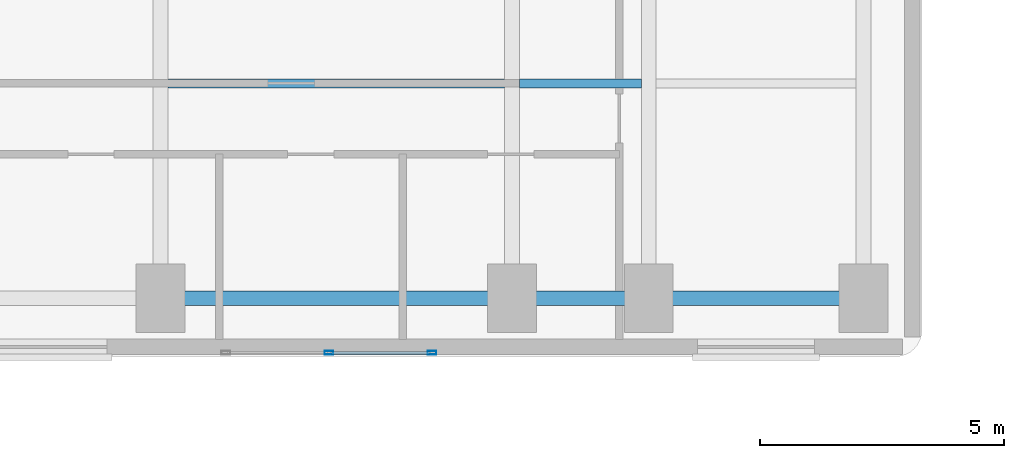
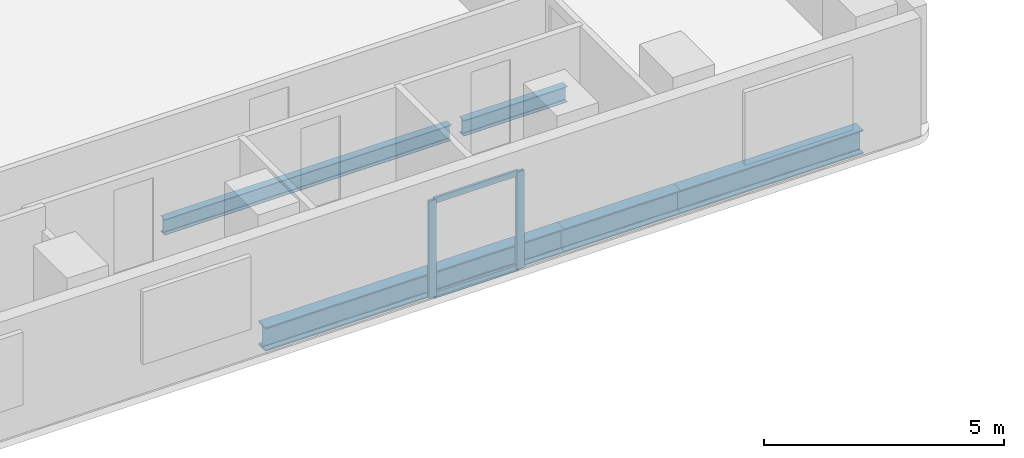
# One storey, part 6 of 17: 5 beams, 4 members, 1 element without a shape of its own.
"""IFC4 building model written with IfcOpenShell, lengths in metres."""

from ifc_helpers import new_model, si_unit, direction, frame, origin, origin_2d, place, context, subcontext, project, spatial, hollow_rectangle, i_section, extrude, material, material_profile, profile_set, type_object, element, aggregate, save


model = new_model("IFC4")

# Units and contexts
model_context = context("Model", 3, precision=1e-05, world=origin(), true_north=direction((0.0, 1.0)))
body_context = subcontext(model_context, "Body", "Model", "MODEL_VIEW")
ifc_project = project(units=[si_unit("LENGTHUNIT", "METRE"), si_unit("AREAUNIT", "SQUARE_METRE"), si_unit("VOLUMEUNIT", "CUBIC_METRE"), si_unit("PLANEANGLEUNIT", "RADIAN"), si_unit("MASSUNIT", "GRAM", prefix="KILO")], contexts=[model_context])

# Site, building, storey
site_placement = place(None, origin())
site = spatial("IfcSite", under=ifc_project, at=site_placement, CompositionType="ELEMENT")
building_placement = place(site_placement, origin())
building = spatial("IfcBuilding", under=site, at=building_placement, Name="Kuzgunbayir Cultural Tower", CompositionType="ELEMENT")
storey_placement = place(building_placement, frame((0.0, 0.0, 50.0)))
storey = spatial("IfcBuildingStorey", under=building, at=storey_placement, Name="L13", CompositionType="ELEMENT", Elevation=50.0)

# Beams
ifc_material_1 = material(Name="Steel S355J2", Category="steel")
ifc_material_profile_1 = material_profile(ifc_material_1, i_section(OverallWidth=0.300048828125, OverallDepth=0.60009765625, WebThickness=0.015380859375, FlangeThickness=0.030029296875, FilletRadius=0.027099609375, at=origin_2d()), Name="HEB 600")
ifc_profile_set_1 = profile_set([ifc_material_profile_1], Name="Steel S355J2")
beam_type_1 = type_object("IfcBeamType", Name="BM-EXT-HEB600", PredefinedType="BEAM", material=ifc_profile_set_1)
beam_1_placement = place(storey_placement, frame((31.199951171875, 27.60009765625, -0.47998046875), z_axis=(1.0, 0.0, 0.0), x_axis=(0.0, 1.0, 0.0)))
element("IfcBeam", 1, at=beam_1_placement, inside=storey, type_object=beam_type_1, Name="L13 Wing B South Girder 2", PredefinedType="BEAM", context=body_context, shape_type="SweptSolid", body=[
    extrude(i_section(OverallWidth=0.300048828125, OverallDepth=0.60009765625, WebThickness=0.015380859375, FlangeThickness=0.030029296875, FilletRadius=0.027099609375, at=origin_2d()), origin(), (0.0, 0.0, 1.0), 7.199951171875),
])
beam_2_placement = place(storey_placement, frame((38.39990234375, 27.60009765625, -0.47998046875), z_axis=(1.0, 0.0, 0.0), x_axis=(0.0, 1.0, 0.0)))
element("IfcBeam", 2, at=beam_2_placement, inside=storey, type_object=beam_type_1, Name="L13 Wing B South Girder 3", PredefinedType="BEAM", context=body_context, shape_type="SweptSolid", body=[
    extrude(i_section(OverallWidth=0.300048828125, OverallDepth=0.60009765625, WebThickness=0.015380859375, FlangeThickness=0.030029296875, FilletRadius=0.027099609375, at=origin_2d()), origin(), (0.0, 0.0, 1.0), 2.800048828125),
])
beam_3_placement = place(storey_placement, frame((41.199951171875, 27.60009765625, -0.47998046875), z_axis=(1.0, 0.0, 0.0), x_axis=(0.0, 1.0, 0.0)))
element("IfcBeam", 3, at=beam_3_placement, inside=storey, type_object=beam_type_1, Name="L13 Wing B South Girder 4", PredefinedType="BEAM", context=body_context, shape_type="SweptSolid", body=[
    extrude(i_section(OverallWidth=0.300048828125, OverallDepth=0.60009765625, WebThickness=0.015380859375, FlangeThickness=0.030029296875, FilletRadius=0.027099609375, at=origin_2d()), origin(), (0.0, 0.0, 1.0), 4.400146484375),
])
ifc_material_profile_2 = material_profile(ifc_material_1, i_section(OverallWidth=0.179931640625, OverallDepth=0.39990234375, WebThickness=0.008544921875, FlangeThickness=0.013427734375, FilletRadius=0.02099609375, at=origin_2d()), Name="IPE 400")
ifc_profile_set_2 = profile_set([ifc_material_profile_2], Name="Steel S355J2")
beam_type_2 = type_object("IfcBeamType", Name="BM-JST-IPE400", PredefinedType="JOIST", material=ifc_profile_set_2)
beam_4_placement = place(storey_placement, frame((31.35009765625, 32.0, -0.3798828125), z_axis=(1.0, 0.0, 0.0), x_axis=(0.0, 1.0, 0.0)))
element("IfcBeam", 4, at=beam_4_placement, inside=storey, type_object=beam_type_2, Name="L13 Wing B Secondary Joist 1.1", PredefinedType="JOIST", context=body_context, shape_type="SweptSolid", body=[
    extrude(i_section(OverallWidth=0.179931640625, OverallDepth=0.39990234375, WebThickness=0.008544921875, FlangeThickness=0.013427734375, FilletRadius=0.02099609375, at=origin_2d()), origin(), (0.0, 0.0, 1.0), 6.89990234375),
])
beam_5_placement = place(storey_placement, frame((38.550048828125, 32.0, -0.3798828125), z_axis=(1.0, 0.0, 0.0), x_axis=(0.0, 1.0, 0.0)))
element("IfcBeam", 5, at=beam_5_placement, inside=storey, type_object=beam_type_2, Name="L13 Wing B Secondary Joist 2.1", PredefinedType="JOIST", context=body_context, shape_type="SweptSolid", body=[
    extrude(i_section(OverallWidth=0.179931640625, OverallDepth=0.39990234375, WebThickness=0.008544921875, FlangeThickness=0.013427734375, FilletRadius=0.02099609375, at=origin_2d()), origin(), (0.0, 0.0, 1.0), 2.5),
])

# Curtain wall, members
ifc_material_2 = material(Name="Anodised Aluminium Framing", Category="aluminium")
curtain_wall_type = type_object("IfcCurtainWallType", Name="CW03-T1-OFFICE", PredefinedType="NOTDEFINED", material=ifc_material_2)
curtain_wall_placement = place(storey_placement, origin())
curtain_wall = element("IfcCurtainWall", 6, at=curtain_wall_placement, inside=storey, type_object=curtain_wall_type, Name="L13 Wing B South Feature Curtain Wall", PredefinedType="NOTDEFINED")
ifc_material_profile_3 = material_profile(ifc_material_2, hollow_rectangle(XDim=0.074951171875, YDim=0.179931640625, WallThickness=0.0048828125, at=origin_2d()), Name="RHS 180x75x5")
ifc_profile_set_3 = profile_set([ifc_material_profile_3], Name="Anodised Aluminium Framing")
member_type_1 = type_object("IfcMemberType", Name="MEM-CW-MULLION-180", PredefinedType="MULLION", material=ifc_profile_set_3)
member_1_placement = place(storey_placement, frame((34.64990234375, 26.47998046875, 0.0), z_axis=(0.0, 0.0, 1.0), x_axis=(0.0, 1.0, 0.0)))
member_1 = element("IfcMember", 7, at=member_1_placement, type_object=member_type_1, Name="CW03 mullion 2", PredefinedType="MULLION", context=body_context, shape_type="SweptSolid", body=[
    extrude(hollow_rectangle(XDim=0.074951171875, YDim=0.179931640625, WallThickness=0.0048828125, at=origin_2d()), origin(), (0.0, 0.0, 1.0), 2.469970703125),
])
member_2_placement = place(storey_placement, frame((36.762451171875, 26.47998046875, 0.0), z_axis=(0.0, 0.0, 1.0), x_axis=(0.0, 1.0, 0.0)))
member_2 = element("IfcMember", 8, at=member_2_placement, type_object=member_type_1, Name="CW03 mullion 3", PredefinedType="MULLION", context=body_context, shape_type="SweptSolid", body=[
    extrude(hollow_rectangle(XDim=0.074951171875, YDim=0.179931640625, WallThickness=0.0048828125, at=origin_2d()), origin(), (0.0, 0.0, 1.0), 2.469970703125),
])
ifc_material_profile_4 = material_profile(ifc_material_2, hollow_rectangle(XDim=0.06005859375, YDim=0.14990234375, WallThickness=0.00390625, at=origin_2d()), Name="RHS 150x60x4")
ifc_profile_set_4 = profile_set([ifc_material_profile_4], Name="Anodised Aluminium Framing")
member_type_2 = type_object("IfcMemberType", Name="MEM-CW-TRANSOM-150", PredefinedType="USERDEFINED", material=ifc_profile_set_4)
member_3_placement = place(storey_placement, frame((34.6875, 26.47998046875, 0.030029296875), z_axis=(1.0, 0.0, 0.0), x_axis=(0.0, 1.0, 0.0)))
member_3 = element("IfcMember", 9, at=member_3_placement, type_object=member_type_2, Name="CW03 transom 2.1", ObjectType="TRANSOM", PredefinedType="USERDEFINED", context=body_context, shape_type="SweptSolid", body=[
    extrude(hollow_rectangle(XDim=0.06005859375, YDim=0.14990234375, WallThickness=0.00390625, at=origin_2d()), origin(), (0.0, 0.0, 1.0), 2.03759765625),
])
member_4_placement = place(storey_placement, frame((34.6875, 26.47998046875, 2.43994140625), z_axis=(1.0, 0.0, 0.0), x_axis=(0.0, 1.0, 0.0)))
member_4 = element("IfcMember", 10, at=member_4_placement, type_object=member_type_2, Name="CW03 transom 2.2", ObjectType="TRANSOM", PredefinedType="USERDEFINED", context=body_context, shape_type="SweptSolid", body=[
    extrude(hollow_rectangle(XDim=0.06005859375, YDim=0.14990234375, WallThickness=0.00390625, at=origin_2d()), origin(), (0.0, 0.0, 1.0), 2.03759765625),
])
aggregate(curtain_wall, [member_1, member_2, member_3, member_4])

save(model, "model.ifc")
